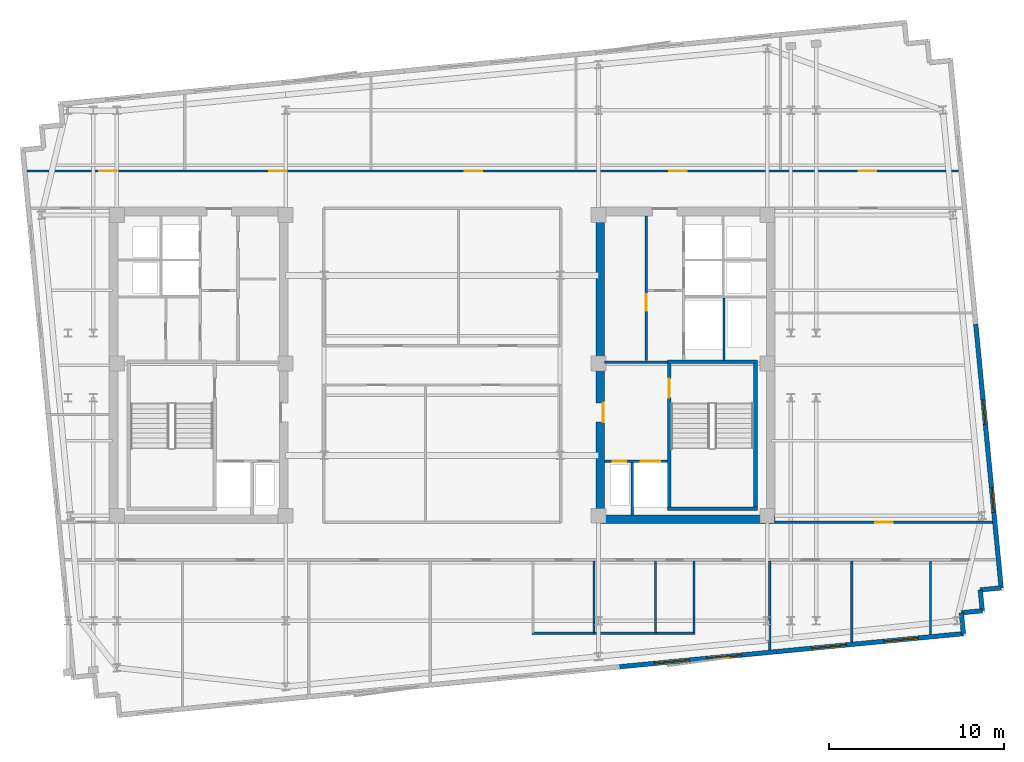
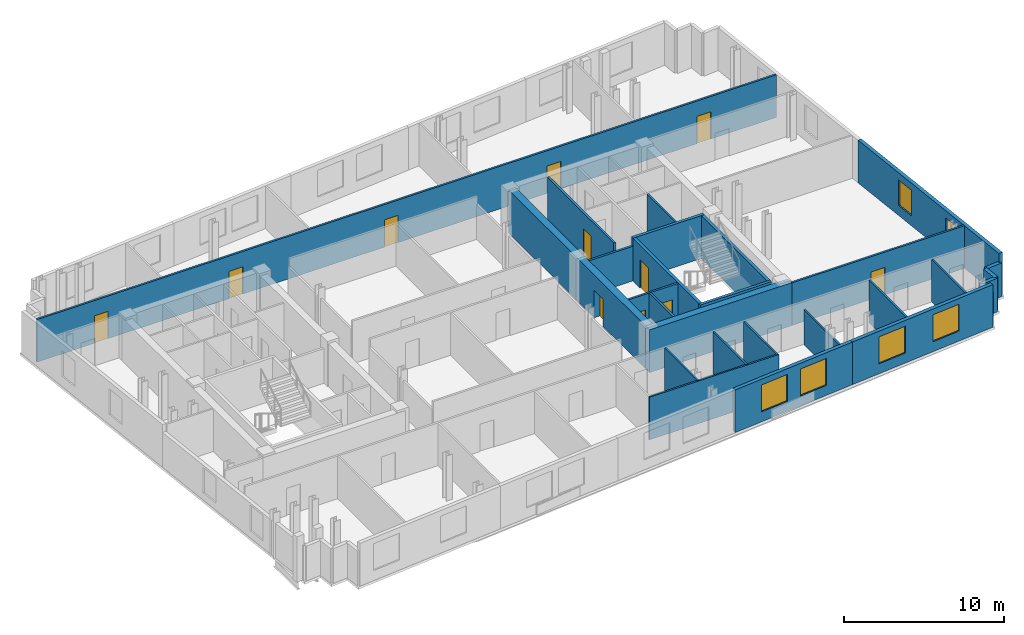
# One storey, part 5 of 9: 27 walls, 11 doors, 6 windows, 17 openings.
"""IFC4 building model written with IfcOpenShell, lengths in metres."""

from ifc_helpers import new_model, si_unit, direction, frame, frame_2d, origin, place, context, subcontext, project, spatial, rectangle, extrude, material, layer, layer_set, type_object, element, fill, save


model = new_model("IFC4")

# Units and contexts
model_context = context("Model", 3, precision=1e-05, world=origin(), true_north=direction((0.0, 1.0)))
body_context = subcontext(model_context, "Body", "Model", "MODEL_VIEW")
ifc_project = project(units=[si_unit("LENGTHUNIT", "METRE"), si_unit("AREAUNIT", "SQUARE_METRE"), si_unit("VOLUMEUNIT", "CUBIC_METRE"), si_unit("PLANEANGLEUNIT", "RADIAN"), si_unit("MASSUNIT", "GRAM", prefix="KILO")], contexts=[model_context])

# Site, building, storey
site_placement = place(None, origin())
site = spatial("IfcSite", under=ifc_project, at=site_placement, CompositionType="ELEMENT")
building_placement = place(site_placement, origin())
building = spatial("IfcBuilding", under=site, at=building_placement, Name="Velakula Bourse", CompositionType="ELEMENT")
storey_placement = place(building_placement, frame((0.0, 0.0, 262.050048828125)))
storey = spatial("IfcBuildingStorey", under=building, at=storey_placement, Name="L71", CompositionType="ELEMENT", Elevation=262.050048828125)

# Wall, opening, door
ifc_material_1 = material(Name="Concrete M50 (fck 50 MPa)", Category="concrete")
ifc_layer_1 = layer(ifc_material_1, 0.2099609375, Name="Concrete M50 (fck 50 MPa)", Category="concrete")
ifc_layer_set_1 = layer_set([ifc_layer_1], Name="Concrete M50 (fck 50 MPa)")
wall_type_1 = type_object("IfcWallType", Name="WL-CORE-210", PredefinedType="SHEAR", material=ifc_layer_set_1)
wall_1_placement = place(storey_placement, frame((12.9951171875, -8.10009765625, 0.0), z_axis=(0.0, 0.0, 1.0), x_axis=(0.0, 1.0, 0.0)))
wall_1 = element("IfcWall", 1, at=wall_1_placement, inside=storey, type_object=wall_type_1, Name="L71 Core E Stairwell Shear Wall IN", PredefinedType="SHEAR", context=body_context, shape_type="SweptSolid", body=[
    extrude(rectangle(XDim=8.2001953125, YDim=0.2099609375, at=frame_2d((4.10009765625, 0.0))), origin(), (0.0, 0.0, 1.0), 3.27001953125),
])
opening_1_placement = place(wall_1_placement, frame((6.25, 0.0, 0.0)))
opening_1 = element("IfcOpeningElement", 2, at=opening_1_placement, cuts=wall_1, Name="Opening D-STE1", PredefinedType="OPENING", context=body_context, shape_type="SweptSolid", body=[
    extrude(rectangle(XDim=1.10009765625, YDim=2.14990234375, at=frame_2d((0.550048828125, 1.074951171875))), frame((0.0, 0.114990234375, 0.0), z_axis=(0.0, -1.0, 0.0), x_axis=(1.0, 0.0, 0.0)), (0.0, 0.0, 1.0), 0.22998046875),
])
ifc_material_2 = material(Name="Galvanised painted hollow steel fire door", Category="steel")
door_type_1 = type_object("IfcDoorType", Name="DR-FD120-1100x2150", OperationType="NOTDEFINED", PredefinedType="DOOR", material=ifc_material_2)
door_1_placement = place(opening_1_placement, origin())
door_1 = element("IfcDoor", 3, at=door_1_placement, inside=storey, type_object=door_type_1, Name="L71 Stair ST-E1 Fire Door", OperationType="SINGLE_SWING_RIGHT", OverallHeight=2.14990234375, OverallWidth=1.10009765625, PredefinedType="DOOR", context=body_context, shape_type="SweptSolid", body=[
    extrude(rectangle(XDim=1.10009765625, YDim=2.14990234375, at=frame_2d((0.550048828125, 1.074951171875))), frame((0.0, 0.02490234375, 0.0), z_axis=(0.0, -1.0, 0.0), x_axis=(1.0, 0.0, 0.0)), (0.0, 0.0, 1.0), 0.050048828125),
])
fill(opening_1, door_1)

# Walls
wall_2_placement = place(storey_placement, frame((17.925048828125, -8.10009765625, 0.0), z_axis=(0.0, 0.0, 1.0), x_axis=(0.0, 1.0, 0.0)))
element("IfcWall", 4, at=wall_2_placement, inside=storey, type_object=wall_type_1, Name="L71 Core E Stairwell Shear Wall OUT", PredefinedType="SHEAR", context=body_context, shape_type="SweptSolid", body=[
    extrude(rectangle(XDim=8.2001953125, YDim=0.2099609375, at=frame_2d((4.10009765625, 0.0))), origin(), (0.0, 0.0, 1.0), 3.27001953125),
])
for number, where, z_axis, x_axis, name in (
    (5, (12.889892578125, -8.205078125, 0.0), (0.0, 0.0, 1.0), (1.0, 0.0, 0.0), "L71 Core E Stairwell Shear Wall S"),
    (6, (18.030029296875, 0.205078125, 0.0), (0.0, 0.0, 1.0), (-1.0, 0.0, 0.0), "L71 Core E Stairwell Shear Wall N"),
):
    element("IfcWall", number, at=place(storey_placement, frame(where, z_axis=z_axis, x_axis=x_axis)), inside=storey, type_object=wall_type_1, Name=name, PredefinedType="SHEAR", context=body_context, shape_type="SweptSolid", body=[
        extrude(rectangle(XDim=5.14013671875, YDim=0.2099609375, at=frame_2d((2.570068359375, 0.0))), origin(), (0.0, 0.0, 1.0), 3.27001953125),
    ])
ifc_layer_2 = layer(ifc_material_1, 0.5, Name="Concrete M50 (fck 50 MPa)", Category="concrete")
ifc_layer_set_2 = layer_set([ifc_layer_2], Name="Concrete M50 (fck 50 MPa)")
wall_type_2 = type_object("IfcWallType", Name="WL-CORE-500", PredefinedType="SHEAR", material=ifc_layer_set_2)
wall_3_placement = place(storey_placement, frame((8.800048828125, -8.800048828125, 0.0), z_axis=(0.0, 0.0, 1.0), x_axis=(1.0, 0.0, 0.0)))
element("IfcWall", 7, at=wall_3_placement, inside=storey, type_object=wall_type_2, Name="L71 Core E Shear Wall S", PredefinedType="SHEAR", context=body_context, shape_type="SweptSolid", body=[
    extrude(rectangle(XDim=10.25, YDim=0.5, at=frame_2d((5.125, 0.0))), origin(), (0.0, 0.0, 1.0), 3.27001953125),
])

# Wall, opening, door
wall_4_placement = place(storey_placement, frame((9.050048828125, -8.550048828125, 0.0), z_axis=(0.0, 0.0, 1.0), x_axis=(0.0, 1.0, 0.0)))
wall_4 = element("IfcWall", 8, at=wall_4_placement, inside=storey, type_object=wall_type_2, Name="L71 Core E Shear Wall W", PredefinedType="SHEAR", context=body_context, shape_type="SweptSolid", body=[
    extrude(rectangle(XDim=17.10009765625, YDim=0.5, at=frame_2d((8.550048828125, 0.0))), origin(), (0.0, 0.0, 1.0), 3.27001953125),
])
opening_2_placement = place(wall_4_placement, frame((5.300048828125, 0.0, 0.0)))
opening_2 = element("IfcOpeningElement", 9, at=opening_2_placement, cuts=wall_4, Name="Opening D-FLE", PredefinedType="OPENING", context=body_context, shape_type="SweptSolid", body=[
    extrude(rectangle(XDim=1.10009765625, YDim=2.080078125, at=frame_2d((0.550048828125, 1.0400390625))), frame((0.0, 0.260009765625, 0.0), z_axis=(0.0, -1.0, 0.0), x_axis=(1.0, 0.0, 0.0)), (0.0, 0.0, 1.0), 0.52001953125),
])
door_type_2 = type_object("IfcDoorType", Name="DR-FD120-1100", OperationType="NOTDEFINED", PredefinedType="DOOR", material=ifc_material_2)
door_2_placement = place(opening_2_placement, origin())
door_2 = element("IfcDoor", 10, at=door_2_placement, inside=storey, type_object=door_type_2, Name="L71 Firefighting Lobby E Corridor Fire Door", OperationType="SINGLE_SWING_RIGHT", OverallHeight=2.080078125, OverallWidth=1.10009765625, PredefinedType="DOOR", context=body_context, shape_type="SweptSolid", body=[
    extrude(rectangle(XDim=1.10009765625, YDim=2.080078125, at=frame_2d((0.550048828125, 1.0400390625))), frame((0.0, -0.15478515625, 0.0), z_axis=(0.0, -1.0, 0.0), x_axis=(1.0, 0.0, 0.0)), (0.0, 0.0, 1.0), 0.050048828125),
])
fill(opening_2, door_2)

# Wall, openings, windows
ifc_material_3 = material(Name="Buff kilned clay facing brick masonry", Category="masonry")
ifc_layer_3 = layer(ifc_material_3, 0.260009765625, Name="Buff kilned clay facing brick masonry", Category="masonry")
ifc_layer_set_3 = layer_set([ifc_layer_3], Name="Buff kilned clay facing brick masonry")
wall_type_3 = type_object("IfcWallType", Name="WL-EXT-BRK-260", PredefinedType="STANDARD", material=ifc_layer_set_3)
wall_5_placement = place(storey_placement, frame((19.119873046875, -16.375244140625, 0.0), z_axis=(0.0, 0.0, 1.0), x_axis=(-0.995396794462, -0.09583956164, 0.0)))
wall_5 = element("IfcWall", 11, at=wall_5_placement, inside=storey, type_object=wall_type_3, Name="L71 S Brick Spandrel Wall B4", PredefinedType="STANDARD", context=body_context, shape_type="SweptSolid", body=[
    extrude(rectangle(XDim=9.0, YDim=0.260009765625, at=frame_2d((4.5, 0.0))), origin(), (0.0, 0.0, 1.0), 3.25),
])
opening_3_placement = place(wall_5_placement, frame((2.0, 0.0, 0.760009765625)))
opening_3 = element("IfcOpeningElement", 12, at=opening_3_placement, cuts=wall_5, Name="Opening W-05", PredefinedType="OPENING", context=body_context, shape_type="SweptSolid", body=[
    extrude(rectangle(XDim=2.0, YDim=2.050048828125, at=frame_2d((1.0, 1.02490234375))), frame((0.0, 0.139892578125, 0.0), z_axis=(0.0, -1.0, 0.0), x_axis=(1.0, 0.0, 0.0)), (0.0, 0.0, 1.0), 0.280029296875),
])
opening_4_placement = place(wall_5_placement, frame((5.0, 0.0, 0.760009765625)))
opening_4 = element("IfcOpeningElement", 13, at=opening_4_placement, cuts=wall_5, Name="Opening W-05", PredefinedType="OPENING", context=body_context, shape_type="SweptSolid", body=[
    extrude(rectangle(XDim=2.0, YDim=2.050048828125, at=frame_2d((1.0, 1.02490234375))), frame((0.0, 0.139892578125, 0.0), z_axis=(0.0, -1.0, 0.0), x_axis=(1.0, 0.0, 0.0)), (0.0, 0.0, 1.0), 0.280029296875),
])
ifc_material_4 = material(Name="Double-glazed solar-control Low-E glass", Category="glass")
window_type_1 = type_object("IfcWindowType", Name="WIN-TWR-2000x2200", PartitioningType="DOUBLE_PANEL_VERTICAL", PredefinedType="WINDOW", material=ifc_material_4)
window_1_placement = place(opening_3_placement, origin())
window_1 = element("IfcWindow", 14, at=window_1_placement, inside=storey, type_object=window_type_1, Name="L71 Deep-Set Recessed Window 1", OverallHeight=2.050048828125, OverallWidth=2.0, PartitioningType="DOUBLE_PANEL_VERTICAL", PredefinedType="WINDOW", context=body_context, shape_type="SweptSolid", body=[
    extrude(rectangle(XDim=2.0, YDim=2.050048828125, at=frame_2d((1.0, 1.02490234375))), frame((0.0, 0.030029296875, 0.0), z_axis=(0.0, -1.0, 0.0), x_axis=(1.0, 0.0, 0.0)), (0.0, 0.0, 1.0), 0.06005859375),
])
fill(opening_3, window_1)
window_2_placement = place(opening_4_placement, origin())
window_2 = element("IfcWindow", 15, at=window_2_placement, inside=storey, type_object=window_type_1, Name="L71 Deep-Set Recessed Window 2", OverallHeight=2.050048828125, OverallWidth=2.0, PartitioningType="DOUBLE_PANEL_VERTICAL", PredefinedType="WINDOW", context=body_context, shape_type="SweptSolid", body=[
    extrude(rectangle(XDim=2.0, YDim=2.050048828125, at=frame_2d((1.0, 1.02490234375))), frame((0.0, 0.030029296875, 0.0), z_axis=(0.0, -1.0, 0.0), x_axis=(1.0, 0.0, 0.0)), (0.0, 0.0, 1.0), 0.06005859375),
])
fill(opening_4, window_2)

wall_6_placement = place(storey_placement, frame((29.820556640625, -15.344970703125, 0.0), z_axis=(0.0, 0.0, 1.0), x_axis=(-0.995396954468, -0.095837899791, 0.0)))
wall_6 = element("IfcWall", 16, at=wall_6_placement, inside=storey, type_object=wall_type_3, Name="L71 S Brick Spandrel Wall B5", PredefinedType="STANDARD", context=body_context, shape_type="SweptSolid", body=[
    extrude(rectangle(XDim=10.750244140625, YDim=0.260009765625, at=frame_2d((5.375, 0.0))), origin(), (0.0, 0.0, 1.0), 3.25),
])
opening_5_placement = place(wall_6_placement, frame((2.583251953125, 0.0, 0.760009765625)))
opening_5 = element("IfcOpeningElement", 17, at=opening_5_placement, cuts=wall_6, Name="Opening W-05", PredefinedType="OPENING", context=body_context, shape_type="SweptSolid", body=[
    extrude(rectangle(XDim=2.0, YDim=2.050048828125, at=frame_2d((1.0, 1.02490234375))), frame((0.0, 0.139892578125, 0.0), z_axis=(0.0, -1.0, 0.0), x_axis=(1.0, 0.0, 0.0)), (0.0, 0.0, 1.0), 0.280029296875),
])
opening_6_placement = place(wall_6_placement, frame((6.716796875, 0.0, 0.760009765625)))
opening_6 = element("IfcOpeningElement", 18, at=opening_6_placement, cuts=wall_6, Name="Opening W-05", PredefinedType="OPENING", context=body_context, shape_type="SweptSolid", body=[
    extrude(rectangle(XDim=2.0, YDim=2.050048828125, at=frame_2d((1.0, 1.02490234375))), frame((0.0, 0.139892578125, 0.0), z_axis=(0.0, -1.0, 0.0), x_axis=(1.0, 0.0, 0.0)), (0.0, 0.0, 1.0), 0.280029296875),
])
window_3_placement = place(opening_5_placement, origin())
window_3 = element("IfcWindow", 19, at=window_3_placement, inside=storey, type_object=window_type_1, Name="L71 Deep-Set Recessed Window 1", OverallHeight=2.050048828125, OverallWidth=2.0, PartitioningType="DOUBLE_PANEL_VERTICAL", PredefinedType="WINDOW", context=body_context, shape_type="SweptSolid", body=[
    extrude(rectangle(XDim=2.0, YDim=2.050048828125, at=frame_2d((1.0, 1.02490234375))), frame((0.0, 0.030029296875, 0.0), z_axis=(0.0, -1.0, 0.0), x_axis=(1.0, 0.0, 0.0)), (0.0, 0.0, 1.0), 0.06005859375),
])
fill(opening_5, window_3)
window_4_placement = place(opening_6_placement, origin())
window_4 = element("IfcWindow", 20, at=window_4_placement, inside=storey, type_object=window_type_1, Name="L71 Deep-Set Recessed Window 2", OverallHeight=2.050048828125, OverallWidth=2.0, PartitioningType="DOUBLE_PANEL_VERTICAL", PredefinedType="WINDOW", context=body_context, shape_type="SweptSolid", body=[
    extrude(rectangle(XDim=2.0, YDim=2.050048828125, at=frame_2d((1.0, 1.02490234375))), frame((0.0, 0.030029296875, 0.0), z_axis=(0.0, -1.0, 0.0), x_axis=(1.0, 0.0, 0.0)), (0.0, 0.0, 1.0), 0.06005859375),
])
fill(opening_6, window_4)

wall_7_placement = place(storey_placement, frame((30.52734375, 2.354248046875, 0.0), z_axis=(0.0, 0.0, 1.0), x_axis=(0.095850890337, -0.995395703638, 0.0)))
wall_7 = element("IfcWall", 21, at=wall_7_placement, inside=storey, type_object=wall_type_3, Name="L71 E Brick End Wall W1", PredefinedType="STANDARD", context=body_context, shape_type="SweptSolid", body=[
    extrude(rectangle(XDim=15.150146484375, YDim=0.260009765625, at=frame_2d((7.5751953125, 0.0))), origin(), (0.0, 0.0, 1.0), 3.25),
])
opening_7_placement = place(wall_7_placement, frame((4.35009765625, 0.0, 0.760009765625)))
opening_7 = element("IfcOpeningElement", 22, at=opening_7_placement, cuts=wall_7, Name="Opening W-03", PredefinedType="OPENING", context=body_context, shape_type="SweptSolid", body=[
    extrude(rectangle(XDim=1.39990234375, YDim=1.949951171875, at=frame_2d((0.699951171875, 0.97509765625))), frame((0.0, 0.139892578125, 0.0), z_axis=(0.0, -1.0, 0.0), x_axis=(1.0, 0.0, 0.0)), (0.0, 0.0, 1.0), 0.280029296875),
])
opening_8_placement = place(wall_7_placement, frame((9.39990234375, 0.0, 0.760009765625)))
opening_8 = element("IfcOpeningElement", 23, at=opening_8_placement, cuts=wall_7, Name="Opening W-03", PredefinedType="OPENING", context=body_context, shape_type="SweptSolid", body=[
    extrude(rectangle(XDim=1.39990234375, YDim=1.949951171875, at=frame_2d((0.699951171875, 0.97509765625))), frame((0.0, 0.139892578125, 0.0), z_axis=(0.0, -1.0, 0.0), x_axis=(1.0, 0.0, 0.0)), (0.0, 0.0, 1.0), 0.280029296875),
])
window_type_2 = type_object("IfcWindowType", Name="WIN-TWR-1400x2100", PartitioningType="SINGLE_PANEL", PredefinedType="WINDOW", material=ifc_material_4)
window_5_placement = place(opening_7_placement, origin())
window_5 = element("IfcWindow", 24, at=window_5_placement, inside=storey, type_object=window_type_2, Name="L71 Deep-Set Recessed Window 1", OverallHeight=1.949951171875, OverallWidth=1.39990234375, PartitioningType="SINGLE_PANEL", PredefinedType="WINDOW", context=body_context, shape_type="SweptSolid", body=[
    extrude(rectangle(XDim=1.39990234375, YDim=1.949951171875, at=frame_2d((0.699951171875, 0.97509765625))), frame((0.0, 0.030029296875, 0.0), z_axis=(0.0, -1.0, 0.0), x_axis=(1.0, 0.0, 0.0)), (0.0, 0.0, 1.0), 0.06005859375),
])
fill(opening_7, window_5)
window_6_placement = place(opening_8_placement, origin())
window_6 = element("IfcWindow", 25, at=window_6_placement, inside=storey, type_object=window_type_2, Name="L71 Deep-Set Recessed Window 2", OverallHeight=1.949951171875, OverallWidth=1.39990234375, PartitioningType="SINGLE_PANEL", PredefinedType="WINDOW", context=body_context, shape_type="SweptSolid", body=[
    extrude(rectangle(XDim=1.39990234375, YDim=1.949951171875, at=frame_2d((0.699951171875, 0.97509765625))), frame((0.0, 0.030029296875, 0.0), z_axis=(0.0, -1.0, 0.0), x_axis=(1.0, 0.0, 0.0)), (0.0, 0.0, 1.0), 0.06005859375),
])
fill(opening_8, window_6)

# Walls
for number, where, z_axis, x_axis, name in (
    (26, (29.820556640625, -15.344970703125, 0.0), (0.0, 0.0, 1.0), (-0.096018626938, 0.995379537303, 0.0), "L71 Serrated Corner Brick Wall SE-1"),
    (27, (29.705322265625, -14.150390625, 0.0), (0.0, 0.0, 1.0), (0.995398960025, 0.095817067274, 0.0), "L71 Serrated Corner Brick Wall SE-2"),
):
    element("IfcWall", number, at=place(storey_placement, frame(where, z_axis=z_axis, x_axis=x_axis)), inside=storey, type_object=wall_type_3, Name=name, PredefinedType="STANDARD", context=body_context, shape_type="SweptSolid", body=[
        extrude(rectangle(XDim=1.2001953125, YDim=0.260009765625, at=frame_2d((0.60009765625, 0.0))), origin(), (0.0, 0.0, 1.0), 2.56494140625),
    ])
wall_8_placement = place(storey_placement, frame((30.89990234375, -14.035400390625, 0.0), z_axis=(0.0, 0.0, 1.0), x_axis=(-0.095836473879, 0.995397091755, 0.0)))
element("IfcWall", 28, at=wall_8_placement, inside=storey, type_object=wall_type_3, Name="L71 Serrated Corner Brick Wall SE-3", PredefinedType="STANDARD", context=body_context, shape_type="SweptSolid", body=[
    extrude(rectangle(XDim=1.199951171875, YDim=0.260009765625, at=frame_2d((0.60009765625, 0.0))), origin(), (0.0, 0.0, 1.0), 2.56494140625),
])
wall_9_placement = place(storey_placement, frame((30.784912109375, -12.841064453125, 0.0), z_axis=(0.0, 0.0, 1.0), x_axis=(0.995398960025, 0.095817067274, 0.0)))
element("IfcWall", 29, at=wall_9_placement, inside=storey, type_object=wall_type_3, Name="L71 Serrated Corner Brick Wall SE-4", PredefinedType="STANDARD", context=body_context, shape_type="SweptSolid", body=[
    extrude(rectangle(XDim=1.2001953125, YDim=0.260009765625, at=frame_2d((0.60009765625, 0.0))), origin(), (0.0, 0.0, 1.0), 2.56494140625),
])
ifc_material_5 = material(Name="Fire-rated double-layer gypsum drywall partition", Category="gypsum")
ifc_layer_4 = layer(ifc_material_5, 0.1201171875, Name="Fire-rated double-layer gypsum drywall partition", Category="gypsum")
ifc_layer_set_4 = layer_set([ifc_layer_4], Name="Fire-rated double-layer gypsum drywall partition")
wall_type_4 = type_object("IfcWallType", Name="WL-PART-120", PredefinedType="STANDARD", material=ifc_layer_set_4)
wall_10_placement = place(storey_placement, frame((16.125, 0.27001953125, 0.0), z_axis=(0.0, 0.0, 1.0), x_axis=(0.0, 1.0, 0.0)))
element("IfcWall", 30, at=wall_10_placement, inside=storey, type_object=wall_type_4, Name="L71 Interior Partition WL-CRE-L71-SVL-E", PredefinedType="STANDARD", context=body_context, shape_type="SweptSolid", body=[
    extrude(rectangle(XDim=3.590087890625, YDim=0.1201171875, at=frame_2d((1.794921875, 0.0))), origin(), (0.0, 0.0, 1.0), 3.25),
])
wall_11_placement = place(storey_placement, frame((5.139892578125, -15.320068359375, 0.0), z_axis=(0.0, 0.0, 1.0), x_axis=(1.0, 0.0, 0.0)))
element("IfcWall", 31, at=wall_11_placement, inside=storey, type_object=wall_type_4, Name="L71 Interior Partition WL-WC-L71-BACK", PredefinedType="STANDARD", context=body_context, shape_type="SweptSolid", body=[
    extrude(rectangle(XDim=9.320068359375, YDim=0.1201171875, at=frame_2d((4.66015625, 0.0))), origin(), (0.0, 0.0, 1.0), 3.25),
])
for number, where, z_axis, x_axis, name in (
    (32, (8.699951171875, -15.320068359375, 0.0), (0.0, 0.0, 1.0), (0.0, 1.0, 0.0), "L71 Interior Partition WL-WC-L71-V2"),
    (33, (12.199951171875, -15.320068359375, 0.0), (0.0, 0.0, 1.0), (0.0, 1.0, 0.0), "L71 Interior Partition WL-WC-L71-V3"),
    (34, (14.39990234375, -15.320068359375, 0.0), (0.0, 0.0, 1.0), (0.0, 1.0, 0.0), "L71 Interior Partition WL-WC-L71-V4"),
):
    element("IfcWall", number, at=place(storey_placement, frame(where, z_axis=z_axis, x_axis=x_axis)), inside=storey, type_object=wall_type_4, Name=name, PredefinedType="STANDARD", context=body_context, shape_type="SweptSolid", body=[
        extrude(rectangle(XDim=4.130126953125, YDim=0.1201171875, at=frame_2d((2.06494140625, 0.0))), origin(), (0.0, 0.0, 1.0), 3.25),
    ])
wall_12_placement = place(storey_placement, frame((18.742919921875, -16.281005859375, 0.0), z_axis=(0.0, 0.0, 1.0), x_axis=(0.0, 1.0, 0.0)))
element("IfcWall", 35, at=wall_12_placement, inside=storey, type_object=wall_type_4, Name="L71 Interior Partition WL-INT-L71-SR-D8", PredefinedType="STANDARD", context=body_context, shape_type="SweptSolid", body=[
    extrude(rectangle(XDim=5.091064453125, YDim=0.1201171875, at=frame_2d((2.54541015625, 0.0))), origin(), (0.0, 0.0, 1.0), 2.64501953125),
])
wall_13_placement = place(storey_placement, frame((23.43310546875, -15.829345703125, 0.0), z_axis=(0.0, 0.0, 1.0), x_axis=(0.0, 1.0, 0.0)))
element("IfcWall", 36, at=wall_13_placement, inside=storey, type_object=wall_type_4, Name="L71 Interior Partition WL-INT-L71-SR-D9", PredefinedType="STANDARD", context=body_context, shape_type="SweptSolid", body=[
    extrude(rectangle(XDim=4.639404296875, YDim=0.1201171875, at=frame_2d((2.31982421875, 0.0))), origin(), (0.0, 0.0, 1.0), 3.25),
])
wall_14_placement = place(storey_placement, frame((27.949951171875, -15.394287109375, 0.0), z_axis=(0.0, 0.0, 1.0), x_axis=(0.0, 1.0, 0.0)))
element("IfcWall", 37, at=wall_14_placement, inside=storey, type_object=wall_type_4, Name="L71 Interior Partition WL-INT-L71-SR-D10", PredefinedType="STANDARD", context=body_context, shape_type="SweptSolid", body=[
    extrude(rectangle(XDim=4.204345703125, YDim=0.1201171875, at=frame_2d((2.10205078125, 0.0))), origin(), (0.0, 0.0, 1.0), 3.25),
])

# Wall, openings, doors
ifc_layer_5 = layer(ifc_material_5, 0.139892578125, Name="Fire-rated double-layer gypsum drywall partition", Category="gypsum")
ifc_layer_set_5 = layer_set([ifc_layer_5], Name="Fire-rated double-layer gypsum drywall partition")
wall_type_5 = type_object("IfcWallType", Name="WL-PART-140", PredefinedType="STANDARD", material=ifc_layer_set_5)
wall_15_placement = place(storey_placement, frame((-23.732666015625, 11.1201171875, 0.0), z_axis=(0.0, 0.0, 1.0), x_axis=(1.0, 0.0, 0.0)))
wall_15 = element("IfcWall", 38, at=wall_15_placement, inside=storey, type_object=wall_type_5, Name="L71 Interior Partition WL-INT-L71-N-CORR", PredefinedType="STANDARD", context=body_context, shape_type="SweptSolid", body=[
    extrude(rectangle(XDim=53.285400390625, YDim=0.139892578125, at=frame_2d((26.642578125, 0.0))), origin(), (0.0, 0.0, 1.0), 3.25),
])
opening_9_placement = place(wall_15_placement, frame((4.13330078125, 0.0, 0.0)))
opening_9 = element("IfcOpeningElement", 39, at=opening_9_placement, cuts=wall_15, Name="Opening D-OF1", PredefinedType="OPENING", context=body_context, shape_type="SweptSolid", body=[
    extrude(rectangle(XDim=1.0, YDim=2.080078125, at=frame_2d((0.5, 1.0400390625))), frame((0.0, 0.079833984375, 0.0), z_axis=(0.0, -1.0, 0.0), x_axis=(1.0, 0.0, 0.0)), (0.0, 0.0, 1.0), 0.159912109375),
])
opening_10_placement = place(wall_15_placement, frame((13.840087890625, 0.0, 0.0)))
opening_10 = element("IfcOpeningElement", 40, at=opening_10_placement, cuts=wall_15, Name="Opening D-OF1", PredefinedType="OPENING", context=body_context, shape_type="SweptSolid", body=[
    extrude(rectangle(XDim=1.0, YDim=2.080078125, at=frame_2d((0.5, 1.0400390625))), frame((0.0, 0.079833984375, 0.0), z_axis=(0.0, -1.0, 0.0), x_axis=(1.0, 0.0, 0.0)), (0.0, 0.0, 1.0), 0.159912109375),
])
opening_11_placement = place(wall_15_placement, frame((25.024169921875, 0.0, 0.0)))
opening_11 = element("IfcOpeningElement", 41, at=opening_11_placement, cuts=wall_15, Name="Opening D-OF1", PredefinedType="OPENING", context=body_context, shape_type="SweptSolid", body=[
    extrude(rectangle(XDim=1.0, YDim=2.080078125, at=frame_2d((0.5, 1.0400390625))), frame((0.0, 0.079833984375, 0.0), z_axis=(0.0, -1.0, 0.0), x_axis=(1.0, 0.0, 0.0)), (0.0, 0.0, 1.0), 0.159912109375),
])
opening_12_placement = place(wall_15_placement, frame((36.7412109375, 0.0, 0.0)))
opening_12 = element("IfcOpeningElement", 42, at=opening_12_placement, cuts=wall_15, Name="Opening D-OF1", PredefinedType="OPENING", context=body_context, shape_type="SweptSolid", body=[
    extrude(rectangle(XDim=1.0, YDim=2.080078125, at=frame_2d((0.5, 1.0400390625))), frame((0.0, 0.079833984375, 0.0), z_axis=(0.0, -1.0, 0.0), x_axis=(1.0, 0.0, 0.0)), (0.0, 0.0, 1.0), 0.159912109375),
])
opening_13_placement = place(wall_15_placement, frame((47.56640625, 0.0, 0.0)))
opening_13 = element("IfcOpeningElement", 43, at=opening_13_placement, cuts=wall_15, Name="Opening D-OF1", PredefinedType="OPENING", context=body_context, shape_type="SweptSolid", body=[
    extrude(rectangle(XDim=1.0, YDim=2.080078125, at=frame_2d((0.5, 1.0400390625))), frame((0.0, 0.079833984375, 0.0), z_axis=(0.0, -1.0, 0.0), x_axis=(1.0, 0.0, 0.0)), (0.0, 0.0, 1.0), 0.159912109375),
])
ifc_material_6 = material(Name="Fire-rated hardwood flush architectural door", Category="wood")
door_type_3 = type_object("IfcDoorType", Name="DR-OFF-1000", OperationType="NOTDEFINED", PredefinedType="DOOR", material=ifc_material_6)
door_3_placement = place(opening_9_placement, origin())
door_3 = element("IfcDoor", 44, at=door_3_placement, inside=storey, type_object=door_type_3, Name="L71 Quantitative Research Workspace Door", OperationType="SINGLE_SWING_RIGHT", OverallHeight=2.080078125, OverallWidth=1.0, PredefinedType="DOOR", context=body_context, shape_type="SweptSolid", body=[
    extrude(rectangle(XDim=1.0, YDim=2.080078125, at=frame_2d((0.5, 1.0400390625))), frame((0.0, 0.02490234375, 0.0), z_axis=(0.0, -1.0, 0.0), x_axis=(1.0, 0.0, 0.0)), (0.0, 0.0, 1.0), 0.050048828125),
])
fill(opening_9, door_3)
door_4_placement = place(opening_10_placement, origin())
door_4 = element("IfcDoor", 45, at=door_4_placement, inside=storey, type_object=door_type_3, Name="L71 Risk Review Boardroom Door", OperationType="SINGLE_SWING_RIGHT", OverallHeight=2.080078125, OverallWidth=1.0, PredefinedType="DOOR", context=body_context, shape_type="SweptSolid", body=[
    extrude(rectangle(XDim=1.0, YDim=2.080078125, at=frame_2d((0.5, 1.0400390625))), frame((0.0, 0.02490234375, 0.0), z_axis=(0.0, -1.0, 0.0), x_axis=(1.0, 0.0, 0.0)), (0.0, 0.0, 1.0), 0.050048828125),
])
fill(opening_10, door_4)
door_5_placement = place(opening_11_placement, origin())
door_5 = element("IfcDoor", 46, at=door_5_placement, inside=storey, type_object=door_type_3, Name="L71 Catering Servery Pantry Door", OperationType="SINGLE_SWING_LEFT", OverallHeight=2.080078125, OverallWidth=1.0, PredefinedType="DOOR", context=body_context, shape_type="SweptSolid", body=[
    extrude(rectangle(XDim=1.0, YDim=2.080078125, at=frame_2d((0.5, 1.0400390625))), frame((0.0, 0.02490234375, 0.0), z_axis=(0.0, -1.0, 0.0), x_axis=(1.0, 0.0, 0.0)), (0.0, 0.0, 1.0), 0.050048828125),
])
fill(opening_11, door_5)
door_6_placement = place(opening_12_placement, origin())
door_6 = element("IfcDoor", 47, at=door_6_placement, inside=storey, type_object=door_type_3, Name="L71 Traders Bistro Restaurant Door", OperationType="SINGLE_SWING_RIGHT", OverallHeight=2.080078125, OverallWidth=1.0, PredefinedType="DOOR", context=body_context, shape_type="SweptSolid", body=[
    extrude(rectangle(XDim=1.0, YDim=2.080078125, at=frame_2d((0.5, 1.0400390625))), frame((0.0, 0.02490234375, 0.0), z_axis=(0.0, -1.0, 0.0), x_axis=(1.0, 0.0, 0.0)), (0.0, 0.0, 1.0), 0.050048828125),
])
fill(opening_12, door_6)
door_7_placement = place(opening_13_placement, origin())
door_7 = element("IfcDoor", 48, at=door_7_placement, inside=storey, type_object=door_type_3, Name="L71 Asset Allocation Office Door", OperationType="SINGLE_SWING_LEFT", OverallHeight=2.080078125, OverallWidth=1.0, PredefinedType="DOOR", context=body_context, shape_type="SweptSolid", body=[
    extrude(rectangle(XDim=1.0, YDim=2.080078125, at=frame_2d((0.5, 1.0400390625))), frame((0.0, 0.02490234375, 0.0), z_axis=(0.0, -1.0, 0.0), x_axis=(1.0, 0.0, 0.0)), (0.0, 0.0, 1.0), 0.050048828125),
])
fill(opening_13, door_7)

# Wall, opening, door
wall_16_placement = place(storey_placement, frame((19.050048828125, -8.97998046875, 0.0), z_axis=(0.0, 0.0, 1.0), x_axis=(1.0, 0.0, 0.0)))
wall_16 = element("IfcWall", 49, at=wall_16_placement, inside=storey, type_object=wall_type_5, Name="L71 Interior Partition WL-INT-L71-E-SC", PredefinedType="STANDARD", context=body_context, shape_type="SweptSolid", body=[
    extrude(rectangle(XDim=12.43798828125, YDim=0.139892578125, at=frame_2d((6.218994140625, 0.0))), origin(), (0.0, 0.0, 1.0), 3.25),
])
opening_14_placement = place(wall_16_placement, frame((5.718994140625, 0.0, 0.0)))
opening_14 = element("IfcOpeningElement", 50, at=opening_14_placement, cuts=wall_16, Name="Opening D-OF1", PredefinedType="OPENING", context=body_context, shape_type="SweptSolid", body=[
    extrude(rectangle(XDim=1.0, YDim=2.080078125, at=frame_2d((0.5, 1.0400390625))), frame((0.0, 0.079833984375, 0.0), z_axis=(0.0, -1.0, 0.0), x_axis=(1.0, 0.0, 0.0)), (0.0, 0.0, 1.0), 0.159912109375),
])
door_8_placement = place(opening_14_placement, origin())
door_8 = element("IfcDoor", 51, at=door_8_placement, inside=storey, type_object=door_type_3, Name="L71 Central Depository Workspace Door", OperationType="SINGLE_SWING_RIGHT", OverallHeight=2.080078125, OverallWidth=1.0, PredefinedType="DOOR", context=body_context, shape_type="SweptSolid", body=[
    extrude(rectangle(XDim=1.0, YDim=2.080078125, at=frame_2d((0.5, 1.0400390625))), frame((0.0, 0.02490234375, 0.0), z_axis=(0.0, -1.0, 0.0), x_axis=(1.0, 0.0, 0.0)), (0.0, 0.0, 1.0), 0.050048828125),
])
fill(opening_14, door_8)

# Wall, openings, doors
ifc_material_7 = material(Name="Autoclaved aerated concrete blockwork masonry", Category="masonry")
ifc_layer_6 = layer(ifc_material_7, 0.14990234375, Name="Autoclaved aerated concrete blockwork masonry", Category="masonry")
ifc_layer_set_6 = layer_set([ifc_layer_6], Name="Autoclaved aerated concrete blockwork masonry")
wall_type_6 = type_object("IfcWallType", Name="WL-SHAFT-150", PredefinedType="STANDARD", material=ifc_layer_set_6)
wall_17_placement = place(storey_placement, frame((9.300048828125, -5.47509765625, 0.0), z_axis=(0.0, 0.0, 1.0), x_axis=(1.0, 0.0, 0.0)))
wall_17 = element("IfcWall", 52, at=wall_17_placement, inside=storey, type_object=wall_type_6, Name="L71 Interior Partition WL-CRE-L71-FFL-N", PredefinedType="STANDARD", context=body_context, shape_type="SweptSolid", body=[
    extrude(rectangle(XDim=3.594970703125, YDim=0.14990234375, at=frame_2d((1.79736328125, 0.0))), origin(), (0.0, 0.0, 1.0), 3.25),
])
opening_15_placement = place(wall_17_placement, frame((2.074951171875, 0.0, 0.0)))
opening_15 = element("IfcOpeningElement", 53, at=opening_15_placement, cuts=wall_17, Name="Opening LD-FFL-2", PredefinedType="OPENING", context=body_context, shape_type="SweptSolid", body=[
    extrude(rectangle(XDim=1.10009765625, YDim=2.14990234375, at=frame_2d((0.550048828125, 1.074951171875))), frame((0.0, 0.0849609375, 0.0), z_axis=(0.0, -1.0, 0.0), x_axis=(1.0, 0.0, 0.0)), (0.0, 0.0, 1.0), 0.169921875),
])
opening_16_placement = place(wall_17_placement, frame((0.47509765625, 0.0, 0.0)))
opening_16 = element("IfcOpeningElement", 54, at=opening_16_placement, cuts=wall_17, Name="Opening D-RS1", PredefinedType="OPENING", context=body_context, shape_type="SweptSolid", body=[
    extrude(rectangle(XDim=0.75, YDim=2.050048828125, at=frame_2d((0.375, 1.02490234375))), frame((0.0, 0.0849609375, 0.0), z_axis=(0.0, -1.0, 0.0), x_axis=(1.0, 0.0, 0.0)), (0.0, 0.0, 1.0), 0.169921875),
])
door_type_4 = type_object("IfcDoorType", Name="DR-RISER-800", OperationType="NOTDEFINED", PredefinedType="DOOR", material=ifc_material_2)
door_9_placement = place(opening_16_placement, origin())
door_9 = element("IfcDoor", 55, at=door_9_placement, inside=storey, type_object=door_type_4, Name="L71 Fire Riser Access Door", OperationType="SINGLE_SWING_LEFT", OverallHeight=2.050048828125, OverallWidth=0.75, PredefinedType="DOOR", context=body_context, shape_type="SweptSolid", body=[
    extrude(rectangle(XDim=0.75, YDim=2.050048828125, at=frame_2d((0.375, 1.02490234375))), frame((0.0, 0.02490234375, 0.0), z_axis=(0.0, -1.0, 0.0), x_axis=(1.0, 0.0, 0.0)), (0.0, 0.0, 1.0), 0.050048828125),
])
fill(opening_16, door_9)
ifc_material_8 = material(Name="Brushed grade 316 stainless steel", Category="steel")
door_type_5 = type_object("IfcDoorType", Name="DR-SLIDE-FFL-1100", OperationType="DOUBLE_DOOR_SLIDING", PredefinedType="DOOR", material=ifc_material_8)
door_10_placement = place(opening_15_placement, origin())
door_10 = element("IfcDoor", 56, at=door_10_placement, inside=storey, type_object=door_type_5, Name="L71 Firefighting Lift FFL-2 Sliding Landing Door", OperationType="DOUBLE_DOOR_SLIDING", OverallHeight=2.14990234375, OverallWidth=1.10009765625, PredefinedType="DOOR", context=body_context, shape_type="SweptSolid", body=[
    extrude(rectangle(XDim=1.10009765625, YDim=2.14990234375, at=frame_2d((0.550048828125, 1.074951171875))), frame((0.0, 0.02490234375, 0.0), z_axis=(0.0, -1.0, 0.0), x_axis=(1.0, 0.0, 0.0)), (0.0, 0.0, 1.0), 0.050048828125),
])
fill(opening_15, door_10)

# Walls
wall_18_placement = place(storey_placement, frame((10.875, -8.550048828125, 0.0), z_axis=(0.0, 0.0, 1.0), x_axis=(0.0, 1.0, 0.0)))
element("IfcWall", 57, at=wall_18_placement, inside=storey, type_object=wall_type_6, Name="L71 Interior Partition WL-CRE-L71-FR-DIV", PredefinedType="STANDARD", context=body_context, shape_type="SweptSolid", body=[
    extrude(rectangle(XDim=3.0, YDim=0.14990234375, at=frame_2d((1.5, 0.0))), origin(), (0.0, 0.0, 1.0), 3.25),
])
wall_19_placement = place(storey_placement, frame((9.300048828125, 0.18994140625, 0.0), z_axis=(0.0, 0.0, 1.0), x_axis=(1.0, 0.0, 0.0)))
element("IfcWall", 58, at=wall_19_placement, inside=storey, type_object=wall_type_6, Name="L71 Interior Partition WL-CRE-L71-FF-TOP", PredefinedType="STANDARD", context=body_context, shape_type="SweptSolid", body=[
    extrude(rectangle(XDim=3.58984375, YDim=0.14990234375, at=frame_2d((1.794921875, 0.0))), origin(), (0.0, 0.0, 1.0), 2.64501953125),
])

# Wall, opening, door
wall_20_placement = place(storey_placement, frame((11.675048828125, 0.27001953125, 0.0), z_axis=(0.0, 0.0, 1.0), x_axis=(0.0, 1.0, 0.0)))
wall_20 = element("IfcWall", 59, at=wall_20_placement, inside=storey, type_object=wall_type_6, Name="L71 Interior Partition WL-CRE-L71-BANK-F", PredefinedType="STANDARD", context=body_context, shape_type="SweptSolid", body=[
    extrude(rectangle(XDim=8.280029296875, YDim=0.14990234375, at=frame_2d((4.14013671875, 0.0))), origin(), (0.0, 0.0, 1.0), 3.25),
])
opening_17_placement = place(wall_20_placement, frame((2.85009765625, 0.0, 0.0)))
opening_17 = element("IfcOpeningElement", 60, at=opening_17_placement, cuts=wall_20, Name="Opening D-RC5", PredefinedType="OPENING", context=body_context, shape_type="SweptSolid", body=[
    extrude(rectangle(XDim=0.949951171875, YDim=2.050048828125, at=frame_2d((0.47509765625, 1.02490234375))), frame((0.0, 0.0849609375, 0.0), z_axis=(0.0, -1.0, 0.0), x_axis=(1.0, 0.0, 0.0)), (0.0, 0.0, 1.0), 0.169921875),
])
door_type_6 = type_object("IfcDoorType", Name="DR-FD60-950x2050", OperationType="NOTDEFINED", PredefinedType="DOOR", material=ifc_material_6)
door_11_placement = place(opening_17_placement, origin())
door_11 = element("IfcDoor", 61, at=door_11_placement, inside=storey, type_object=door_type_6, Name="L71 Reclaimed Multi-Bay Depository Room Door", OperationType="SINGLE_SWING_LEFT", OverallHeight=2.050048828125, OverallWidth=0.949951171875, PredefinedType="DOOR", context=body_context, shape_type="SweptSolid", body=[
    extrude(rectangle(XDim=0.949951171875, YDim=2.050048828125, at=frame_2d((0.47509765625, 1.02490234375))), frame((0.0, 0.02490234375, 0.0), z_axis=(0.0, -1.0, 0.0), x_axis=(1.0, 0.0, 0.0)), (0.0, 0.0, 1.0), 0.050048828125),
])
fill(opening_17, door_11)

save(model, "model.ifc")
